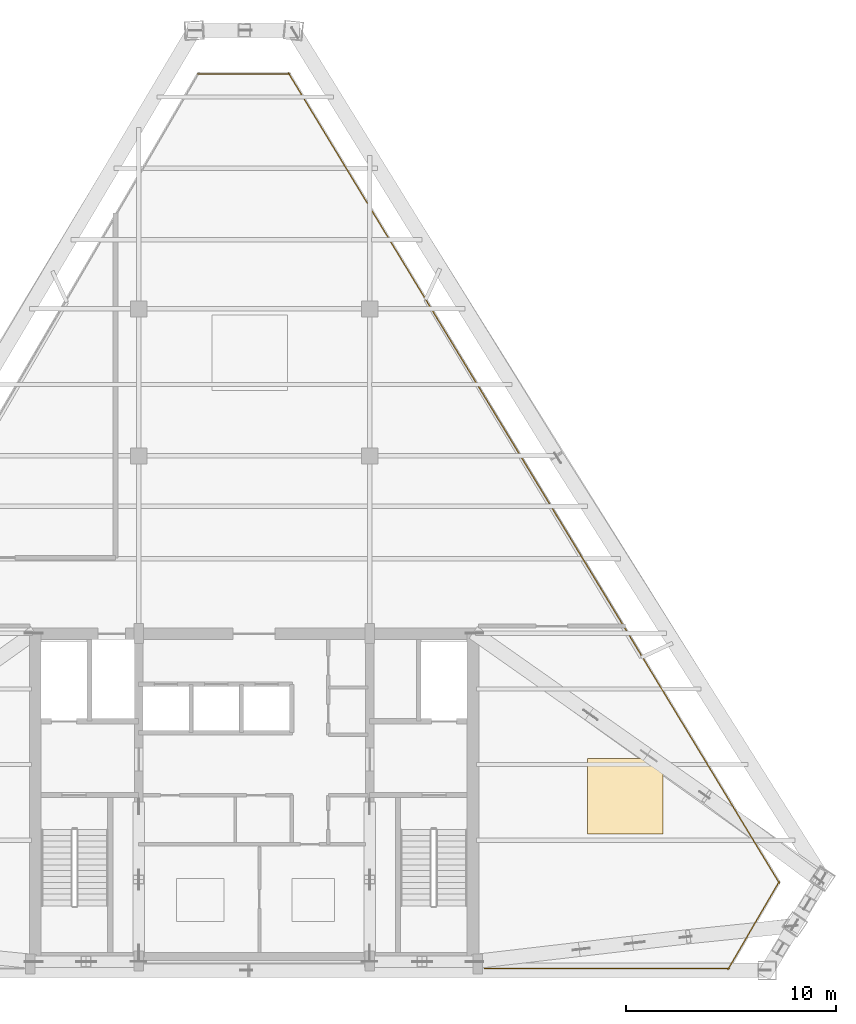
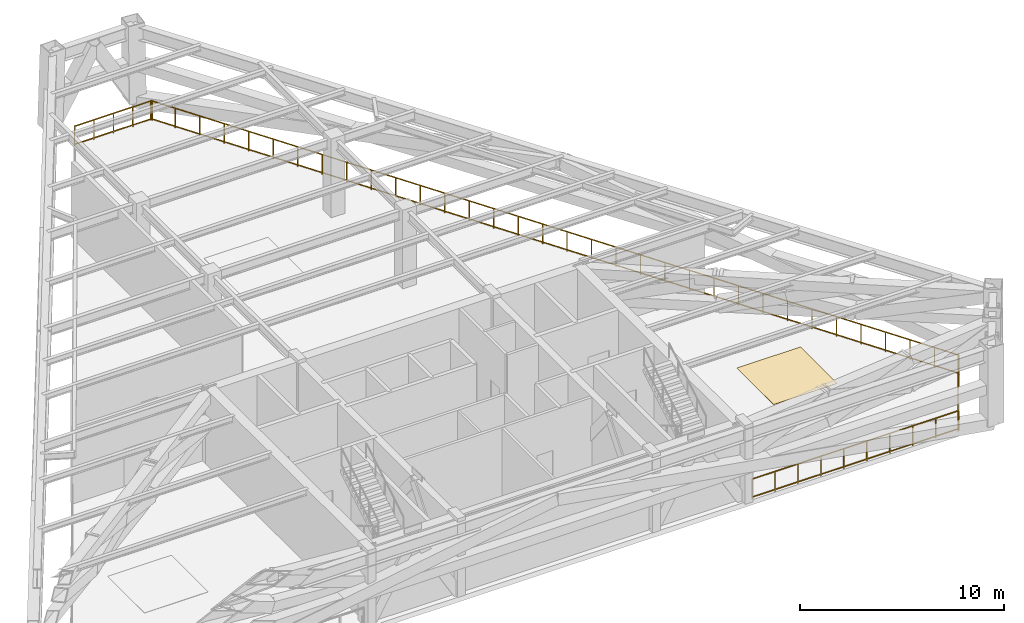
# One storey, part 9 of 9: 4 railings, 1 covering.
"""IFC4 building model written with IfcOpenShell, lengths in metres."""

from ifc_helpers import new_model, si_unit, direction, frame, origin, origin_2d, place, context, subcontext, project, spatial, rectangle, extrude, source, transform, mapped, material, layer, layer_set, type_object, type_shapes, element, save


model = new_model("IFC4")

# Units and contexts
model_context = context("Model", 3, precision=1e-05, world=origin(), true_north=direction((0.0, 1.0)))
body_context = subcontext(model_context, "Body", "Model", "MODEL_VIEW")
ifc_project = project(units=[si_unit("LENGTHUNIT", "METRE"), si_unit("AREAUNIT", "SQUARE_METRE"), si_unit("VOLUMEUNIT", "CUBIC_METRE"), si_unit("PLANEANGLEUNIT", "RADIAN"), si_unit("MASSUNIT", "GRAM", prefix="KILO")], contexts=[model_context])

# Site, building, storey
site_placement = place(None, origin())
site = spatial("IfcSite", under=ifc_project, at=site_placement, CompositionType="ELEMENT")
building_placement = place(site_placement, origin())
building = spatial("IfcBuilding", under=site, at=building_placement, Name="Varnakhor Terracotta Tower", CompositionType="ELEMENT")
storey_placement = place(building_placement, frame((0.0, 0.0, 257.949951171875)))
storey = spatial("IfcBuildingStorey", under=building, at=storey_placement, Name="L67", CompositionType="ELEMENT", Elevation=257.949951171875)

# Railings
ifc_material_1 = material(Name="Terracotta & Brushed Steel Balustrade", Category="masonry")
railing_type = type_object("IfcRailingType", Name="RLG-TERRACE-GUARD-1200", PredefinedType="BALUSTRADE", material=ifc_material_1)
railing_1_placement = place(storey_placement, frame((-2.6982421875, 42.7001953125, 0.0)))
element("IfcRailing", 1, at=railing_1_placement, inside=storey, type_object=railing_type, Name="L67 Open Floor Perimeter Guard 2", PredefinedType="BALUSTRADE", context=body_context, shape_type="SweptSolid", body=[
    extrude(rectangle(XDim=0.048095703125, YDim=0.048095703125, at=origin_2d()), frame((0.0, 0.0, 1.17578125), z_axis=(1.0, 0.0, 0.0), x_axis=(0.0, 1.0, 0.0)), (0.0, 0.0, 1.0), 4.402099609375),
    extrude(rectangle(XDim=0.048095703125, YDim=0.048095703125, at=origin_2d()), frame((0.0, 0.0, 0.10009765625), z_axis=(1.0, 0.0, 0.0), x_axis=(0.0, 1.0, 0.0)), (0.0, 0.0, 1.0), 4.402099609375),
    extrude(rectangle(XDim=0.0419921875, YDim=0.0419921875, at=origin_2d()), origin(), (0.0, 0.0, 1.0), 1.15185546875),
    extrude(rectangle(XDim=0.0419921875, YDim=0.0419921875, at=origin_2d()), frame((1.1005859375, 0.0, 0.0)), (0.0, 0.0, 1.0), 1.15185546875),
    extrude(rectangle(XDim=0.0419921875, YDim=0.0419921875, at=origin_2d()), frame((2.201171875, 0.0, 0.0)), (0.0, 0.0, 1.0), 1.15185546875),
    extrude(rectangle(XDim=0.0419921875, YDim=0.0419921875, at=origin_2d()), frame((3.301513671875, 0.0, 0.0)), (0.0, 0.0, 1.0), 1.15185546875),
    extrude(rectangle(XDim=0.0419921875, YDim=0.0419921875, at=origin_2d()), frame((4.402099609375, 0.0, 0.0)), (0.0, 0.0, 1.0), 1.15185546875),
])
railing_2_placement = place(storey_placement, frame((1.635498046875, 42.73876953125, 0.0)))
element("IfcRailing", 2, at=railing_2_placement, inside=storey, type_object=railing_type, Name="L67 Open Floor Perimeter Guard 3", PredefinedType="BALUSTRADE", context=body_context, shape_type="SweptSolid", body=[
    extrude(rectangle(XDim=0.048095703125, YDim=0.048095703125, at=origin_2d()), frame((0.0, 0.0, 1.17578125), z_axis=(0.518228191528, -0.855242387575, 0.0), x_axis=(0.855242387575, 0.518228191528, 0.0)), (0.0, 0.0, 1.0), 45.11279296875),
    extrude(rectangle(XDim=0.048095703125, YDim=0.048095703125, at=origin_2d()), frame((0.0, 0.0, 0.10009765625), z_axis=(0.518228191528, -0.855242387575, 0.0), x_axis=(0.855242387575, 0.518228191528, 0.0)), (0.0, 0.0, 1.0), 45.11279296875),
    extrude(rectangle(XDim=0.0419921875, YDim=0.0419921875, at=origin_2d()), origin(), (0.0, 0.0, 1.0), 1.15185546875),
    extrude(rectangle(XDim=0.0419921875, YDim=0.0419921875, at=origin_2d()), frame((0.70849609375, -1.169189453125, 0.0)), (0.0, 0.0, 1.0), 1.15185546875),
    extrude(rectangle(XDim=0.0419921875, YDim=0.0419921875, at=origin_2d()), frame((1.4169921875, -2.33837890625, 0.0)), (0.0, 0.0, 1.0), 1.15185546875),
    extrude(rectangle(XDim=0.0419921875, YDim=0.0419921875, at=origin_2d()), frame((2.125244140625, -3.507568359375, 0.0)), (0.0, 0.0, 1.0), 1.15185546875),
    extrude(rectangle(XDim=0.0419921875, YDim=0.0419921875, at=origin_2d()), frame((2.833740234375, -4.6767578125, 0.0)), (0.0, 0.0, 1.0), 1.15185546875),
    extrude(rectangle(XDim=0.0419921875, YDim=0.0419921875, at=origin_2d()), frame((3.542236328125, -5.845703125, 0.0)), (0.0, 0.0, 1.0), 1.15185546875),
    extrude(rectangle(XDim=0.0419921875, YDim=0.0419921875, at=origin_2d()), frame((4.250732421875, -7.014892578125, 0.0)), (0.0, 0.0, 1.0), 1.15185546875),
    extrude(rectangle(XDim=0.0419921875, YDim=0.0419921875, at=origin_2d()), frame((4.959228515625, -8.18408203125, 0.0)), (0.0, 0.0, 1.0), 1.15185546875),
    extrude(rectangle(XDim=0.0419921875, YDim=0.0419921875, at=origin_2d()), frame((5.66748046875, -9.353271484375, 0.0)), (0.0, 0.0, 1.0), 1.15185546875),
    extrude(rectangle(XDim=0.0419921875, YDim=0.0419921875, at=origin_2d()), frame((6.3759765625, -10.5224609375, 0.0)), (0.0, 0.0, 1.0), 1.15185546875),
    extrude(rectangle(XDim=0.0419921875, YDim=0.0419921875, at=origin_2d()), frame((7.08447265625, -11.691650390625, 0.0)), (0.0, 0.0, 1.0), 1.15185546875),
    extrude(rectangle(XDim=0.0419921875, YDim=0.0419921875, at=origin_2d()), frame((7.79296875, -12.86083984375, 0.0)), (0.0, 0.0, 1.0), 1.15185546875),
    extrude(rectangle(XDim=0.0419921875, YDim=0.0419921875, at=origin_2d()), frame((8.501220703125, -14.030029296875, 0.0)), (0.0, 0.0, 1.0), 1.15185546875),
    extrude(rectangle(XDim=0.0419921875, YDim=0.0419921875, at=origin_2d()), frame((9.209716796875, -15.198974609375, 0.0)), (0.0, 0.0, 1.0), 1.15185546875),
    extrude(rectangle(XDim=0.0419921875, YDim=0.0419921875, at=origin_2d()), frame((9.918212890625, -16.3681640625, 0.0)), (0.0, 0.0, 1.0), 1.15185546875),
    extrude(rectangle(XDim=0.0419921875, YDim=0.0419921875, at=origin_2d()), frame((10.626708984375, -17.537353515625, 0.0)), (0.0, 0.0, 1.0), 1.15185546875),
    extrude(rectangle(XDim=0.0419921875, YDim=0.0419921875, at=origin_2d()), frame((11.335205078125, -18.70654296875, 0.0)), (0.0, 0.0, 1.0), 1.15185546875),
    extrude(rectangle(XDim=0.0419921875, YDim=0.0419921875, at=origin_2d()), frame((12.04345703125, -19.875732421875, 0.0)), (0.0, 0.0, 1.0), 1.15185546875),
    extrude(rectangle(XDim=0.0419921875, YDim=0.0419921875, at=origin_2d()), frame((12.751953125, -21.044921875, 0.0)), (0.0, 0.0, 1.0), 1.15185546875),
    extrude(rectangle(XDim=0.0419921875, YDim=0.0419921875, at=origin_2d()), frame((13.46044921875, -22.214111328125, 0.0)), (0.0, 0.0, 1.0), 1.15185546875),
    extrude(rectangle(XDim=0.0419921875, YDim=0.0419921875, at=origin_2d()), frame((14.1689453125, -23.38330078125, 0.0)), (0.0, 0.0, 1.0), 1.15185546875),
    extrude(rectangle(XDim=0.0419921875, YDim=0.0419921875, at=origin_2d()), frame((14.87744140625, -24.55224609375, 0.0)), (0.0, 0.0, 1.0), 1.15185546875),
    extrude(rectangle(XDim=0.0419921875, YDim=0.0419921875, at=origin_2d()), frame((15.585693359375, -25.721435546875, 0.0)), (0.0, 0.0, 1.0), 1.15185546875),
    extrude(rectangle(XDim=0.0419921875, YDim=0.0419921875, at=origin_2d()), frame((16.294189453125, -26.890625, 0.0)), (0.0, 0.0, 1.0), 1.15185546875),
    extrude(rectangle(XDim=0.0419921875, YDim=0.0419921875, at=origin_2d()), frame((17.002685546875, -28.059814453125, 0.0)), (0.0, 0.0, 1.0), 1.15185546875),
    extrude(rectangle(XDim=0.0419921875, YDim=0.0419921875, at=origin_2d()), frame((17.711181640625, -29.22900390625, 0.0)), (0.0, 0.0, 1.0), 1.15185546875),
    extrude(rectangle(XDim=0.0419921875, YDim=0.0419921875, at=origin_2d()), frame((18.41943359375, -30.398193359375, 0.0)), (0.0, 0.0, 1.0), 1.15185546875),
    extrude(rectangle(XDim=0.0419921875, YDim=0.0419921875, at=origin_2d()), frame((19.1279296875, -31.5673828125, 0.0)), (0.0, 0.0, 1.0), 1.15185546875),
    extrude(rectangle(XDim=0.0419921875, YDim=0.0419921875, at=origin_2d()), frame((19.83642578125, -32.736572265625, 0.0)), (0.0, 0.0, 1.0), 1.15185546875),
    extrude(rectangle(XDim=0.0419921875, YDim=0.0419921875, at=origin_2d()), frame((20.544921875, -33.905517578125, 0.0)), (0.0, 0.0, 1.0), 1.15185546875),
    extrude(rectangle(XDim=0.0419921875, YDim=0.0419921875, at=origin_2d()), frame((21.25341796875, -35.07470703125, 0.0)), (0.0, 0.0, 1.0), 1.15185546875),
    extrude(rectangle(XDim=0.0419921875, YDim=0.0419921875, at=origin_2d()), frame((21.961669921875, -36.243896484375, 0.0)), (0.0, 0.0, 1.0), 1.15185546875),
    extrude(rectangle(XDim=0.0419921875, YDim=0.0419921875, at=origin_2d()), frame((22.670166015625, -37.4130859375, 0.0)), (0.0, 0.0, 1.0), 1.15185546875),
    extrude(rectangle(XDim=0.0419921875, YDim=0.0419921875, at=origin_2d()), frame((23.378662109375, -38.582275390625, 0.0)), (0.0, 0.0, 1.0), 1.15185546875),
])
railing_3_placement = place(storey_placement, frame((25.013427734375, 4.23828125, 0.0)))
element("IfcRailing", 3, at=railing_3_placement, inside=storey, type_object=railing_type, Name="L67 Open Floor Perimeter Guard 4", PredefinedType="BALUSTRADE", context=body_context, shape_type="SweptSolid", body=[
    extrude(rectangle(XDim=0.048095703125, YDim=0.048095703125, at=origin_2d()), frame((0.0, 0.0, 1.17578125), z_axis=(-0.503442937436, -0.864028476814, 0.0), x_axis=(0.864028476814, -0.503442937436, 0.0)), (0.0, 0.0, 1.0), 4.858642578125),
    extrude(rectangle(XDim=0.048095703125, YDim=0.048095703125, at=origin_2d()), frame((0.0, 0.0, 0.10009765625), z_axis=(-0.503442937436, -0.864028476814, 0.0), x_axis=(0.864028476814, -0.503442937436, 0.0)), (0.0, 0.0, 1.0), 4.858642578125),
    extrude(rectangle(XDim=0.0419921875, YDim=0.0419921875, at=origin_2d()), origin(), (0.0, 0.0, 1.0), 1.15185546875),
    extrude(rectangle(XDim=0.0419921875, YDim=0.0419921875, at=origin_2d()), frame((-0.611572265625, -1.049560546875, 0.0)), (0.0, 0.0, 1.0), 1.15185546875),
    extrude(rectangle(XDim=0.0419921875, YDim=0.0419921875, at=origin_2d()), frame((-1.22314453125, -2.09912109375, 0.0)), (0.0, 0.0, 1.0), 1.15185546875),
    extrude(rectangle(XDim=0.0419921875, YDim=0.0419921875, at=origin_2d()), frame((-1.83447265625, -3.1484375, 0.0)), (0.0, 0.0, 1.0), 1.15185546875),
    extrude(rectangle(XDim=0.0419921875, YDim=0.0419921875, at=origin_2d()), frame((-2.446044921875, -4.197998046875, 0.0)), (0.0, 0.0, 1.0), 1.15185546875),
])
railing_4_placement = place(storey_placement, frame((22.636474609375, 0.080078125, 0.0)))
element("IfcRailing", 4, at=railing_4_placement, inside=storey, type_object=railing_type, Name="L67 Open Refuge Perimeter Guard SE", PredefinedType="BALUSTRADE", context=body_context, shape_type="SweptSolid", body=[
    extrude(rectangle(XDim=0.048095703125, YDim=0.048095703125, at=origin_2d()), frame((0.0, 0.0, 1.17578125), z_axis=(-1.0, 0.0, 0.0), x_axis=(0.0, -1.0, 0.0)), (0.0, 0.0, 1.0), 11.676513671875),
    extrude(rectangle(XDim=0.048095703125, YDim=0.048095703125, at=origin_2d()), frame((0.0, 0.0, 0.10009765625), z_axis=(-1.0, 0.0, 0.0), x_axis=(0.0, -1.0, 0.0)), (0.0, 0.0, 1.0), 11.676513671875),
    extrude(rectangle(XDim=0.0419921875, YDim=0.0419921875, at=origin_2d()), origin(), (0.0, 0.0, 1.0), 1.15185546875),
    extrude(rectangle(XDim=0.0419921875, YDim=0.0419921875, at=origin_2d()), frame((-1.29736328125, 0.0, 0.0)), (0.0, 0.0, 1.0), 1.15185546875),
    extrude(rectangle(XDim=0.0419921875, YDim=0.0419921875, at=origin_2d()), frame((-2.5947265625, 0.0, 0.0)), (0.0, 0.0, 1.0), 1.15185546875),
    extrude(rectangle(XDim=0.0419921875, YDim=0.0419921875, at=origin_2d()), frame((-3.89208984375, 0.0, 0.0)), (0.0, 0.0, 1.0), 1.15185546875),
    extrude(rectangle(XDim=0.0419921875, YDim=0.0419921875, at=origin_2d()), frame((-5.189453125, 0.0, 0.0)), (0.0, 0.0, 1.0), 1.15185546875),
    extrude(rectangle(XDim=0.0419921875, YDim=0.0419921875, at=origin_2d()), frame((-6.487060546875, 0.0, 0.0)), (0.0, 0.0, 1.0), 1.15185546875),
    extrude(rectangle(XDim=0.0419921875, YDim=0.0419921875, at=origin_2d()), frame((-7.784423828125, 0.0, 0.0)), (0.0, 0.0, 1.0), 1.15185546875),
    extrude(rectangle(XDim=0.0419921875, YDim=0.0419921875, at=origin_2d()), frame((-9.081787109375, 0.0, 0.0)), (0.0, 0.0, 1.0), 1.15185546875),
    extrude(rectangle(XDim=0.0419921875, YDim=0.0419921875, at=origin_2d()), frame((-10.379150390625, 0.0, 0.0)), (0.0, 0.0, 1.0), 1.15185546875),
    extrude(rectangle(XDim=0.0419921875, YDim=0.0419921875, at=origin_2d()), frame((-11.676513671875, 0.0, 0.0)), (0.0, 0.0, 1.0), 1.15185546875),
])

# Covering
ifc_material_2 = material(Name="Insulated Elastomeric Waterproof Roofing Membrane", Category="other")
ifc_layer = layer(ifc_material_2, 0.034912109375, Name="Insulated Elastomeric Waterproof Roofing Membrane")
ifc_layer_set = layer_set([ifc_layer], Name="Insulated Elastomeric Waterproof Roofing Membrane")
covering_type = type_object("IfcCoveringType", Name="COV-ROOF-MEMBRANE", PredefinedType="ROOFING", material=ifc_layer_set)
shared_shape = source(origin(), body_context, "Body", "SweptSolid", [
    extrude(rectangle(XDim=3.60009765625, YDim=3.60009765625, at=origin_2d()), origin(), (0.0, 0.0, 1.0), 0.014892578125),
])
type_shapes(covering_type, [shared_shape])
covering_placement = place(storey_placement, frame((17.68505859375, 8.291015625, 0.0), z_axis=(0.0, 0.0, 1.0), x_axis=(1.0, 0.0, 0.0)))
element("IfcCovering", 5, at=covering_placement, inside=storey, type_object=covering_type, Name="L67 Waterproof Plant Membrane 3", PredefinedType="ROOFING", context=body_context, shape_type="MappedRepresentation", body=[
    mapped(shared_shape, transform((0.0, 0.0, 0.0), scale=1.0)),
])

save(model, "model.ifc")
